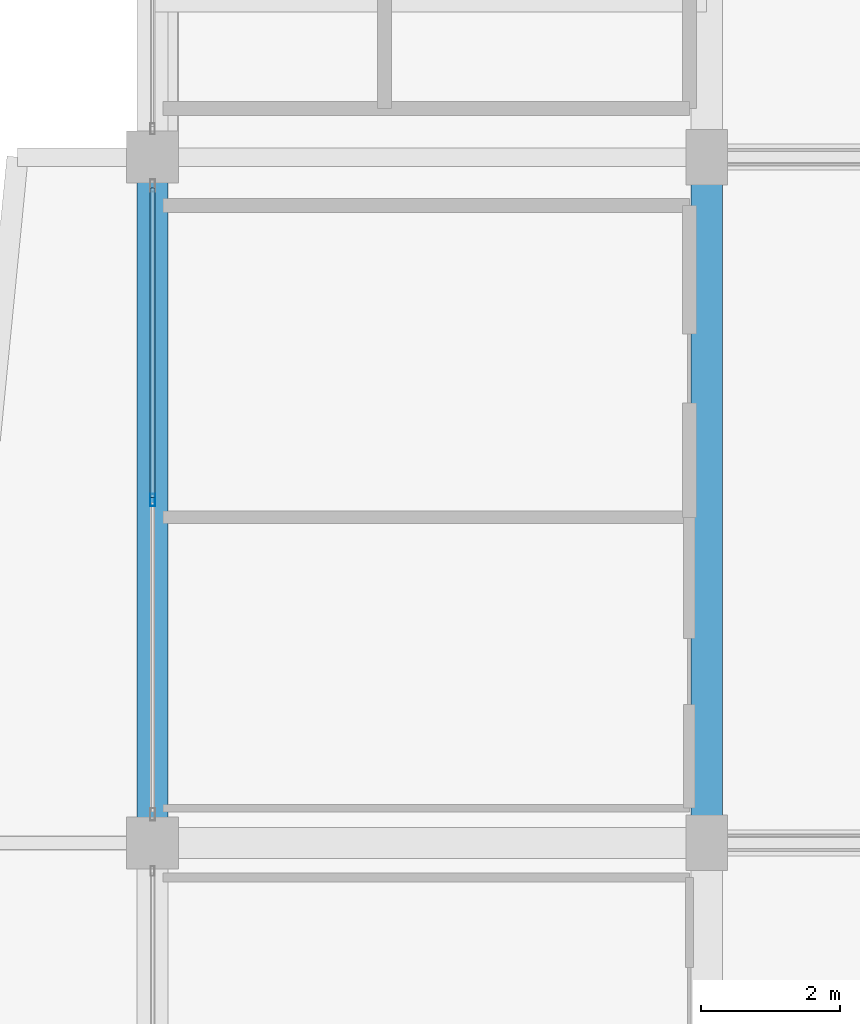
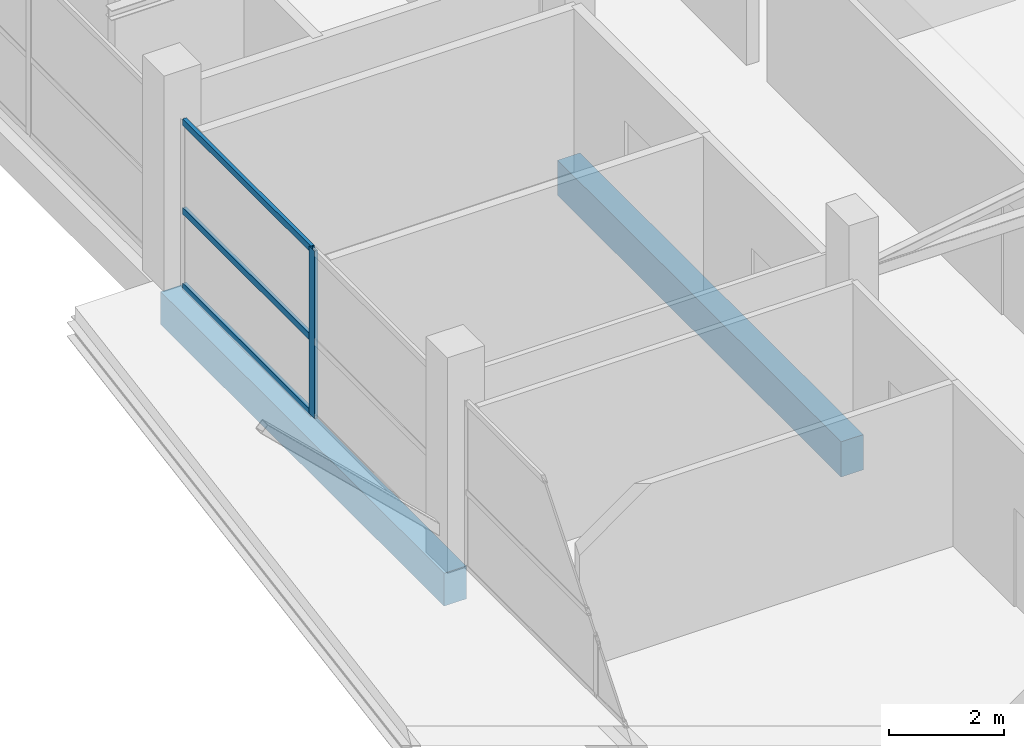
# One storey, part 19 of 58: 4 members, 2 beams, 1 element without a shape of its own.
"""IFC4 building model written with IfcOpenShell, lengths in metres."""

from ifc_helpers import new_model, si_unit, direction, frame, origin, origin_2d, place, context, subcontext, project, spatial, rectangle, hollow_rectangle, extrude, material, layer, layer_set, material_profile, profile_set, type_object, element, aggregate, save


model = new_model("IFC4")

# Units and contexts
model_context = context("Model", 3, precision=1e-05, world=origin(), true_north=direction((0.0, 1.0)))
body_context = subcontext(model_context, "Body", "Model", "MODEL_VIEW")
ifc_project = project(units=[si_unit("LENGTHUNIT", "METRE"), si_unit("AREAUNIT", "SQUARE_METRE"), si_unit("VOLUMEUNIT", "CUBIC_METRE"), si_unit("PLANEANGLEUNIT", "RADIAN"), si_unit("MASSUNIT", "GRAM", prefix="KILO")], contexts=[model_context])

# Site, building, storey
site_placement = place(None, origin())
site = spatial("IfcSite", under=ifc_project, at=site_placement, CompositionType="ELEMENT")
building_placement = place(site_placement, origin())
building = spatial("IfcBuilding", under=site, at=building_placement, Name="Sillaruma Civic Art Gallery", CompositionType="ELEMENT")
storey_placement = place(building_placement, frame((0.0, 0.0, 28.56005859375)))
storey = spatial("IfcBuildingStorey", under=building, at=storey_placement, Name="L05", CompositionType="ELEMENT", Elevation=28.56005859375)

# Beams
ifc_material_1 = material(Name="Concrete H40 (40 MPa)", Category="concrete")
ifc_material_profile_1 = material_profile(ifc_material_1, rectangle(XDim=0.449951171875, YDim=0.75, at=origin_2d()), Name="RCB450x750")
ifc_profile_set_1 = profile_set([ifc_material_profile_1], Name="Concrete H40 (40 MPa)")
beam_type_1 = type_object("IfcBeamType", Name="BM-BEAM-RCB450x750", PredefinedType="BEAM", material=ifc_profile_set_1)
beam_1_placement = place(storey_placement, frame((70.0, 59.39990234375, -0.655029296875), z_axis=(0.0, 1.0, 0.0), x_axis=(-1.0, 0.0, 0.0)))
element("IfcBeam", 1, at=beam_1_placement, inside=storey, type_object=beam_type_1, Name="Beam BM-03 (L04:G:7-8)", PredefinedType="BEAM", context=body_context, shape_type="SweptSolid", body=[
    extrude(rectangle(XDim=0.449951171875, YDim=0.75, at=origin_2d()), origin(), (0.0, 0.0, 1.0), 9.900146484375),
])
ifc_material_2 = material(Name="Concrete H35 (35 MPa)", Category="concrete")
ifc_material_profile_2 = material_profile(ifc_material_2, rectangle(XDim=0.449951171875, YDim=0.699951171875, at=origin_2d()), Name="RCB450x700")
ifc_profile_set_2 = profile_set([ifc_material_profile_2], Name="Concrete H35 (35 MPa)")
beam_type_2 = type_object("IfcBeamType", Name="BM-SPANDREL-RCB450x700", PredefinedType="SPANDREL", material=ifc_profile_set_2)
beam_2_placement = place(storey_placement, frame((62.0, 59.39990234375, -0.630126953125), z_axis=(0.0, 1.0, 0.0), x_axis=(-1.0, 0.0, 0.0)))
element("IfcBeam", 2, at=beam_2_placement, inside=storey, type_object=beam_type_2, Name="Beam BS-03 (L04:F:7-8)", PredefinedType="SPANDREL", context=body_context, shape_type="SweptSolid", body=[
    extrude(rectangle(XDim=0.449951171875, YDim=0.699951171875, at=origin_2d()), origin(), (0.0, 0.0, 1.0), 9.900146484375),
])

# Curtain wall, members
ifc_material_3 = material(Name="Thermally Broken Extruded Aluminium 6063-T6", Category="aluminium")
ifc_layer = layer(ifc_material_3, 0.179931640625, Name="Thermally Broken Extruded Aluminium 6063-T6")
ifc_layer_set = layer_set([ifc_layer], Name="Thermally Broken Extruded Aluminium 6063-T6")
curtain_wall_type = type_object("IfcCurtainWallType", Name="CW-UNI-33", PredefinedType="NOTDEFINED", material=ifc_layer_set)
curtain_wall_placement = place(storey_placement, origin())
curtain_wall = element("IfcCurtainWall", 3, at=curtain_wall_placement, inside=storey, type_object=curtain_wall_type, Name="Unitised Curtain Wall CW-33 (CW-L05-W-5)", PredefinedType="NOTDEFINED")
ifc_material_profile_3 = material_profile(ifc_material_3, hollow_rectangle(XDim=0.070068359375, YDim=0.179931640625, WallThickness=0.00390625, at=origin_2d()), Name="CWM70x180")
ifc_profile_set_3 = profile_set([ifc_material_profile_3], Name="Thermally Broken Extruded Aluminium 6063-T6")
member_type_1 = type_object("IfcMemberType", Name="MEM-MUL-CWM70x180", PredefinedType="MULLION", material=ifc_profile_set_3)
member_1_placement = place(storey_placement, frame((62.0, 64.35009765625, 0.0), z_axis=(0.0, 0.0, 1.0), x_axis=(-1.0, 0.0, 0.0)))
member_1 = element("IfcMember", 4, at=member_1_placement, type_object=member_type_1, Name="CW-33 mullion 2", PredefinedType="MULLION", context=body_context, shape_type="SweptSolid", body=[
    extrude(hollow_rectangle(XDim=0.070068359375, YDim=0.179931640625, WallThickness=0.00390625, at=origin_2d()), origin(), (0.0, 0.0, 1.0), 3.56982421875),
])
ifc_material_profile_4 = material_profile(ifc_material_3, hollow_rectangle(XDim=0.070068359375, YDim=0.139892578125, WallThickness=0.00390625, at=origin_2d()), Name="CWT70x140")
ifc_profile_set_4 = profile_set([ifc_material_profile_4], Name="Thermally Broken Extruded Aluminium 6063-T6")
member_type_2 = type_object("IfcMemberType", Name="MEM-TRN-CWT70x140", PredefinedType="USERDEFINED", material=ifc_profile_set_4)
member_2_placement = place(storey_placement, frame((62.0, 64.385009765625, 0.034912109375), z_axis=(0.0, 1.0, 0.0), x_axis=(-1.0, 0.0, 0.0)))
member_2 = element("IfcMember", 5, at=member_2_placement, type_object=member_type_2, Name="CW-33 transom 2.1", ObjectType="TRANSOM", PredefinedType="USERDEFINED", context=body_context, shape_type="SweptSolid", body=[
    extrude(hollow_rectangle(XDim=0.070068359375, YDim=0.139892578125, WallThickness=0.00390625, at=origin_2d()), origin(), (0.0, 0.0, 1.0), 4.469970703125),
])
member_3_placement = place(storey_placement, frame((62.0, 64.385009765625, 1.64208984375), z_axis=(0.0, 1.0, 0.0), x_axis=(-1.0, 0.0, 0.0)))
member_3 = element("IfcMember", 6, at=member_3_placement, type_object=member_type_2, Name="CW-33 transom 2.2", ObjectType="TRANSOM", PredefinedType="USERDEFINED", context=body_context, shape_type="SweptSolid", body=[
    extrude(hollow_rectangle(XDim=0.070068359375, YDim=0.139892578125, WallThickness=0.00390625, at=origin_2d()), origin(), (0.0, 0.0, 1.0), 4.469970703125),
])
member_4_placement = place(storey_placement, frame((62.0, 64.385009765625, 3.534912109375), z_axis=(0.0, 1.0, 0.0), x_axis=(-1.0, 0.0, 0.0)))
member_4 = element("IfcMember", 7, at=member_4_placement, type_object=member_type_2, Name="CW-33 transom 2.3", ObjectType="TRANSOM", PredefinedType="USERDEFINED", context=body_context, shape_type="SweptSolid", body=[
    extrude(hollow_rectangle(XDim=0.070068359375, YDim=0.139892578125, WallThickness=0.00390625, at=origin_2d()), origin(), (0.0, 0.0, 1.0), 4.469970703125),
])
aggregate(curtain_wall, [member_1, member_2, member_3, member_4])

save(model, "model.ifc")
